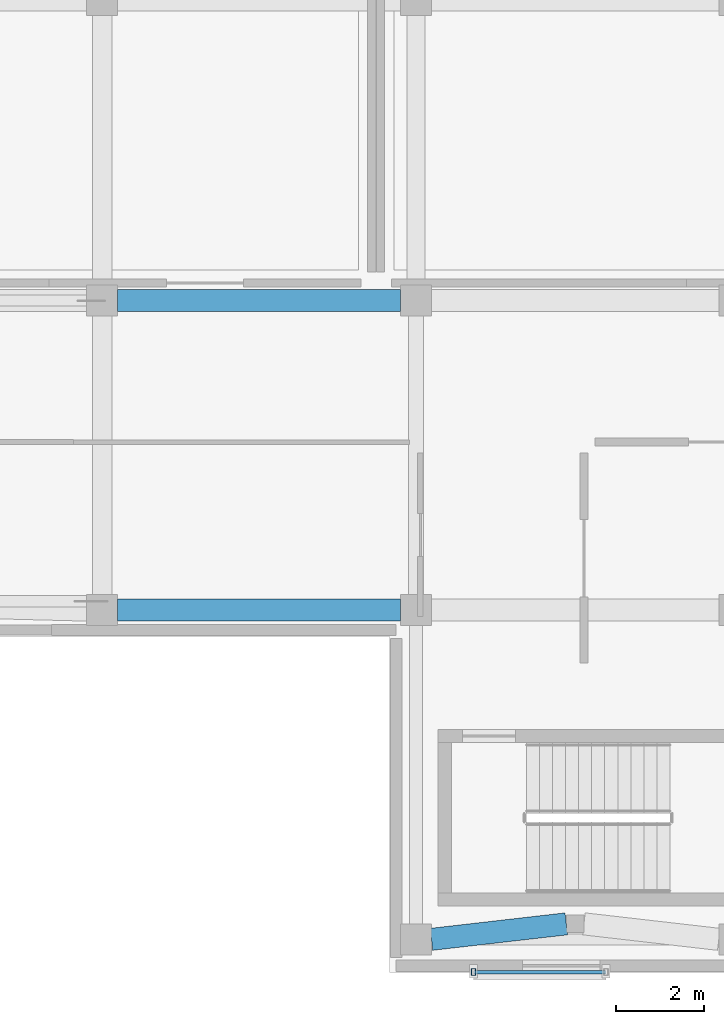
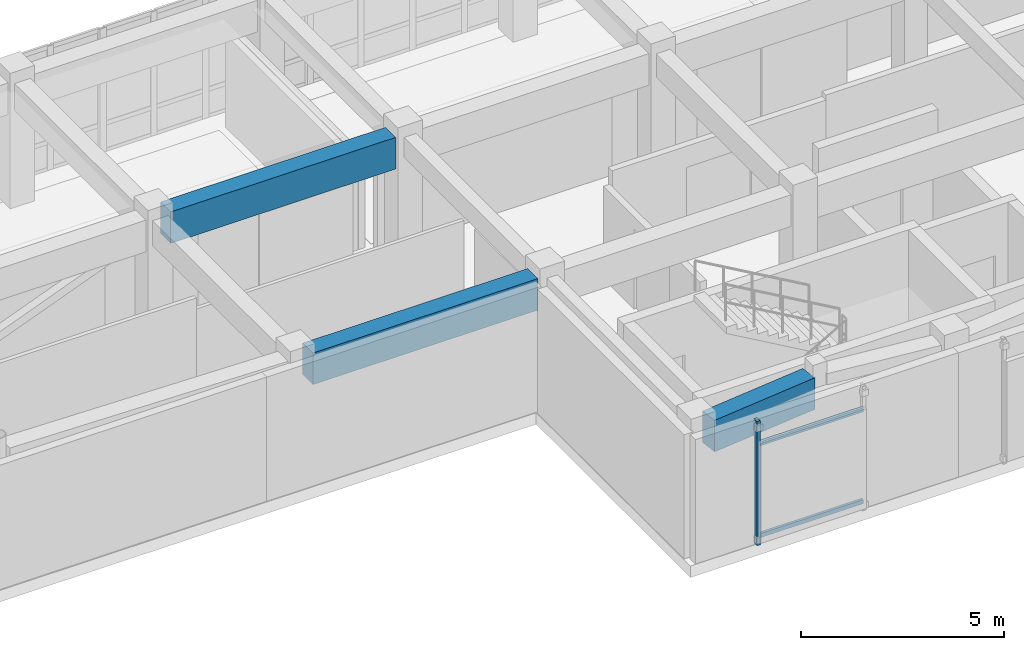
# One storey, part 18 of 146: 3 beams, 3 members.
"""IFC4 building model written with IfcOpenShell, lengths in metres."""

from ifc_helpers import new_model, si_unit, direction, frame, origin, origin_2d, place, context, subcontext, project, spatial, rectangle, hollow_rectangle, extrude, material, material_profile, profile_set, type_object, element, save


model = new_model("IFC4")

# Units and contexts
model_context = context("Model", 3, precision=1e-05, world=origin(), true_north=direction((0.0, 1.0)))
body_context = subcontext(model_context, "Body", "Model", "MODEL_VIEW")
ifc_project = project(units=[si_unit("LENGTHUNIT", "METRE"), si_unit("AREAUNIT", "SQUARE_METRE"), si_unit("VOLUMEUNIT", "CUBIC_METRE"), si_unit("PLANEANGLEUNIT", "RADIAN"), si_unit("MASSUNIT", "GRAM", prefix="KILO")], contexts=[model_context])

# Site, building, storey
site_placement = place(None, origin())
site = spatial("IfcSite", under=ifc_project, at=site_placement, CompositionType="ELEMENT")
building_placement = place(site_placement, origin())
building = spatial("IfcBuilding", under=site, at=building_placement, Name="Valcora Specialist Clinic", CompositionType="ELEMENT")
storey_placement = place(building_placement, frame((0.0, 0.0, 9.52001953125)))
storey = spatial("IfcBuildingStorey", under=building, at=storey_placement, Name="L02", CompositionType="ELEMENT", Elevation=9.52001953125)

# Beams
ifc_material_1 = material(Name="Concrete C40/50", Category="concrete")
ifc_material_profile_1 = material_profile(ifc_material_1, rectangle(XDim=0.5, YDim=0.949951171875, at=origin_2d()), Name="RC-BM-500X950")
ifc_profile_set_1 = profile_set([ifc_material_profile_1], Name="Concrete C40/50")
beam_type = type_object("IfcBeamType", Name="TY-BM-TR500X950", PredefinedType="BEAM", material=ifc_profile_set_1)
beam_placement = place(storey_placement, frame((16.550048828125, 0.75, 3.260009765625), z_axis=(0.993476675025, 0.114035504041, 0.0), x_axis=(-0.114035504041, 0.993476675025, 0.0)))
element("IfcBeam", 1, at=beam_placement, inside=storey, type_object=beam_type, Name="Beam BM-L02-0979", PredefinedType="BEAM", context=body_context, shape_type="SweptSolid", body=[
    extrude(rectangle(XDim=0.5, YDim=0.949951171875, at=origin_2d()), origin(), (0.0, 0.0, 1.0), 3.070068359375),
])
for number, where, z_axis, x_axis, name in (
    (2, (9.449951171875, 8.199951171875, 3.260009765625), (1.0, 0.0, 0.0), (0.0, 1.0, 0.0), "Beam BM-L02-0989"),
    (3, (9.449951171875, 15.199951171875, 3.260009765625), (1.0, 0.0, 0.0), (0.0, 1.0, 0.0), "Beam BM-L02-0996"),
):
    element("IfcBeam", number, at=place(storey_placement, frame(where, z_axis=z_axis, x_axis=x_axis)), inside=storey, type_object=beam_type, Name=name, PredefinedType="BEAM", context=body_context, shape_type="SweptSolid", body=[
        extrude(rectangle(XDim=0.5, YDim=0.949951171875, at=origin_2d()), origin(), (0.0, 0.0, 1.0), 6.400146484375),
    ])

# Members
ifc_material_2 = material(Name="Steel ASTM A500 Grade C", Category="steel")
ifc_material_profile_2 = material_profile(ifc_material_2, hollow_rectangle(XDim=0.10009765625, YDim=0.14990234375, WallThickness=0.006103515625, at=origin_2d()), Name="ST-RHS-150X100X6")
ifc_profile_set_2 = profile_set([ifc_material_profile_2], Name="Steel ASTM A500 Grade C")
member_type_1 = type_object("IfcMemberType", Name="TY-MB-SFPOST", PredefinedType="POST", material=ifc_profile_set_2)
member_placement = place(storey_placement, frame((17.5, 0.010009765625, 0.0), z_axis=(0.0, 0.0, 1.0), x_axis=(1.0, 0.0, 0.0)))
element("IfcMember", 4, at=member_placement, inside=storey, type_object=member_type_1, Name="Brick screen carrier post 81", PredefinedType="POST", context=body_context, shape_type="SweptSolid", body=[
    extrude(hollow_rectangle(XDim=0.10009765625, YDim=0.14990234375, WallThickness=0.006103515625, at=origin_2d()), origin(), (0.0, 0.0, 1.0), 3.73486328125),
])
ifc_material_profile_3 = material_profile(ifc_material_2, hollow_rectangle(XDim=0.080078125, YDim=0.1201171875, WallThickness=0.0048828125, at=origin_2d()), Name="ST-RHS-120X80X5")
ifc_profile_set_3 = profile_set([ifc_material_profile_3], Name="Steel ASTM A500 Grade C")
member_type_2 = type_object("IfcMemberType", Name="TY-MB-SFRAIL", PredefinedType="STRINGER", material=ifc_profile_set_3)
for number, where, z_axis, x_axis, name in (
    (5, (17.5, 0.010009765625, 0.239990234375), (1.0, 0.0, 0.0), (0.0, 1.0, 0.0), "Brick screen carrier rail 83"),
    (6, (17.5, 0.010009765625, 3.0), (1.0, 0.0, 0.0), (0.0, 1.0, 0.0), "Brick screen carrier rail 84"),
):
    element("IfcMember", number, at=place(storey_placement, frame(where, z_axis=z_axis, x_axis=x_axis)), inside=storey, type_object=member_type_2, Name=name, PredefinedType="STRINGER", context=body_context, shape_type="SweptSolid", body=[
        extrude(hollow_rectangle(XDim=0.080078125, YDim=0.1201171875, WallThickness=0.0048828125, at=origin_2d()), origin(), (0.0, 0.0, 1.0), 3.0),
    ])

save(model, "model.ifc")
